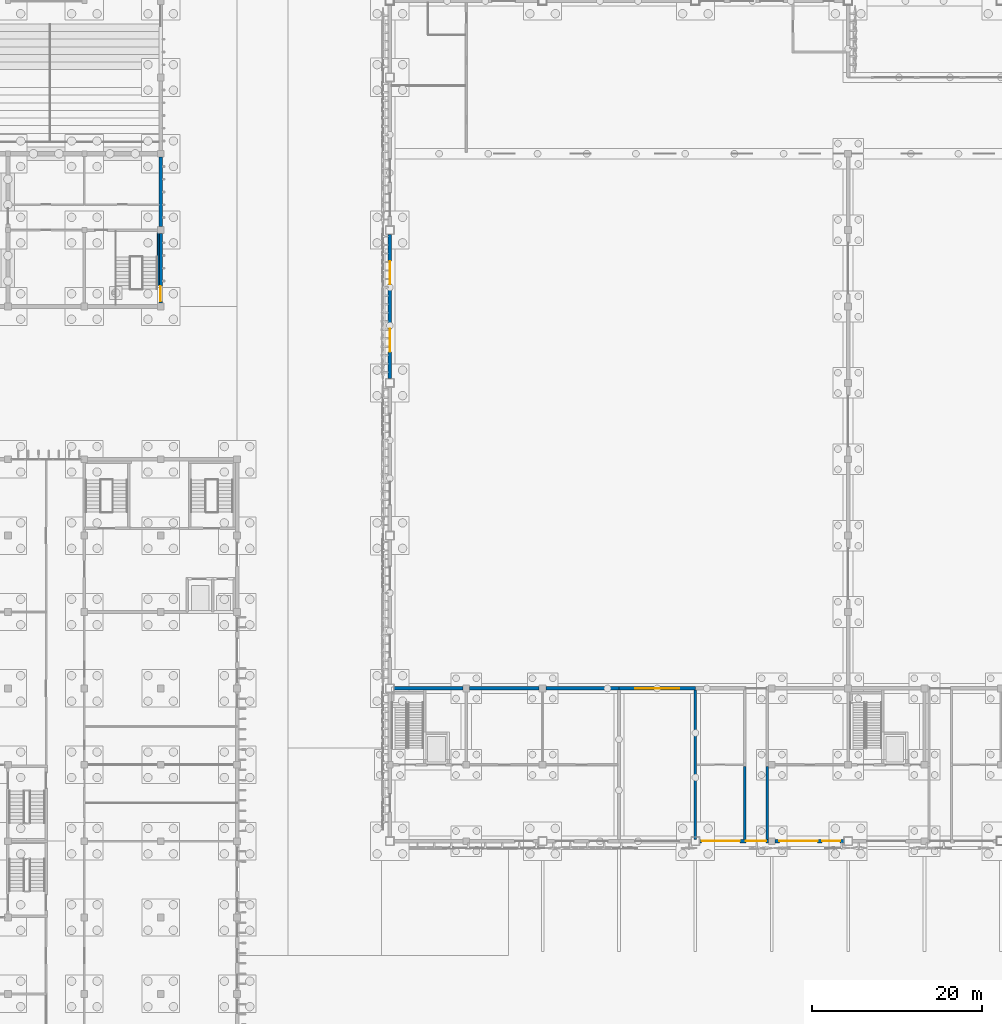
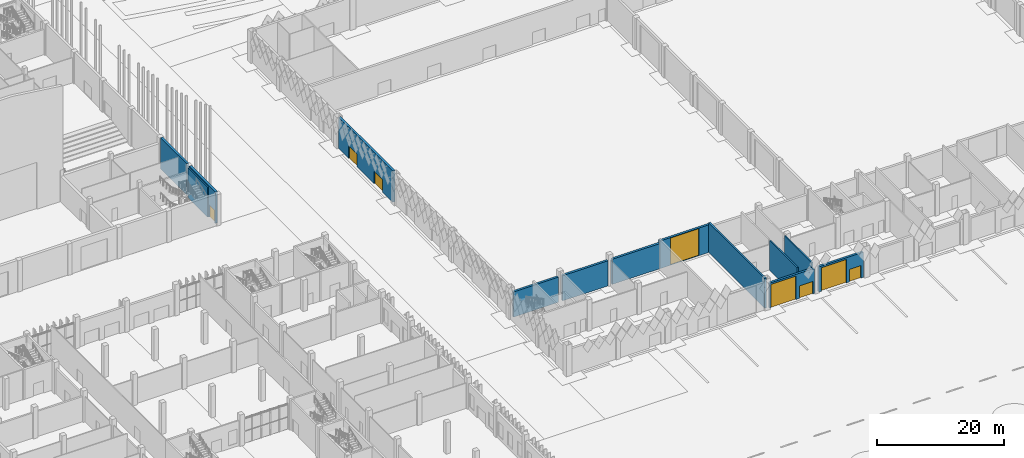
# One storey, part 85 of 198: 13 walls, 8 doors, 8 openings.
"""IFC4 building model written with IfcOpenShell, lengths in metres."""

from ifc_helpers import new_model, si_unit, direction, frame, frame_2d, origin, place, context, subcontext, project, spatial, rectangle, extrude, material, layer, layer_set, type_object, element, fill, save


model = new_model("IFC4")

# Units and contexts
model_context = context("Model", 3, precision=1e-05, world=origin(), true_north=direction((0.0, 1.0)))
body_context = subcontext(model_context, "Body", "Model", "MODEL_VIEW")
ifc_project = project(units=[si_unit("LENGTHUNIT", "METRE"), si_unit("AREAUNIT", "SQUARE_METRE"), si_unit("VOLUMEUNIT", "CUBIC_METRE"), si_unit("PLANEANGLEUNIT", "RADIAN"), si_unit("MASSUNIT", "GRAM", prefix="KILO")], contexts=[model_context])

# Site, building, storey
site_placement = place(None, origin())
site = spatial("IfcSite", under=ifc_project, at=site_placement, CompositionType="ELEMENT")
building_placement = place(site_placement, origin())
building = spatial("IfcBuilding", under=site, at=building_placement, Name="Opaline Strait Convention Centre", CompositionType="ELEMENT")
storey_placement = place(building_placement, origin())
storey = spatial("IfcBuildingStorey", under=building, at=storey_placement, Name="L00", CompositionType="ELEMENT", Elevation=0.0)

# Wall, openings, doors
ifc_material_1 = material(Name="Concrete C40", Category="concrete")
ifc_layer_1 = layer(ifc_material_1, 0.25)
ifc_material_2 = material(Name="Mineral wool insulation")
ifc_layer_2 = layer(ifc_material_2, 0.10009765625)
ifc_material_3 = material(Name="Gypsum board lining")
ifc_layer_3 = layer(ifc_material_3, 0.050048828125)
ifc_layer_set_1 = layer_set([ifc_layer_1, ifc_layer_2, ifc_layer_3], Name="Concrete C40, Mineral wool insulation, Gypsum board lining")
wall_type_1 = type_object("IfcWallType", Name="External wall RC 400 insulated", PredefinedType="SOLIDWALL", material=ifc_layer_set_1)
wall_1_placement = place(storey_placement, frame((135.5, 54.0, 0.0), z_axis=(0.0, 0.0, 1.0), x_axis=(1.0, 0.0, 0.0)))
wall_1 = element("IfcWall", 1, at=wall_1_placement, inside=storey, type_object=wall_type_1, Name="External wall S5", PredefinedType="SOLIDWALL", context=body_context, shape_type="SweptSolid", body=[
    extrude(rectangle(XDim=8.10009765625, YDim=0.39990234375, at=frame_2d((4.050048828125, 0.0))), origin(), (0.0, 0.0, 1.0), 4.820068359375),
])
opening_1_placement = place(wall_1_placement, frame((0.25, 0.0, 0.0)))
opening_1 = element("IfcOpeningElement", 2, at=opening_1_placement, cuts=wall_1, Name="Opening X0-014", PredefinedType="OPENING", context=body_context, shape_type="SweptSolid", body=[
    extrude(rectangle(XDim=4.5, YDim=4.5, at=frame_2d((2.25, 2.25))), frame((0.0, 0.2099609375, 0.0), z_axis=(0.0, -1.0, 0.0), x_axis=(1.0, 0.0, 0.0)), (0.0, 0.0, 1.0), 0.419921875),
])
opening_2_placement = place(wall_1_placement, frame((5.449951171875, 0.0, 0.0)))
opening_2 = element("IfcOpeningElement", 3, at=opening_2_placement, cuts=wall_1, Name="Opening X0-029", PredefinedType="OPENING", context=body_context, shape_type="SweptSolid", body=[
    extrude(rectangle(XDim=2.39990234375, YDim=2.39990234375, at=frame_2d((1.199951171875, 1.199951171875))), frame((0.0, 0.2099609375, 0.0), z_axis=(0.0, -1.0, 0.0), x_axis=(1.0, 0.0, 0.0)), (0.0, 0.0, 1.0), 0.419921875),
])
ifc_material_4 = material(Name="Galvanised steel Q235B", Category="steel")
door_type_1 = type_object("IfcDoorType", Name="Dock leveller door 4500 x 4500", OperationType="ROLLINGUP", PredefinedType="DOOR", material=ifc_material_4)
door_1_placement = place(opening_1_placement, origin())
door_1 = element("IfcDoor", 4, at=door_1_placement, inside=storey, type_object=door_type_1, Name="Dock leveller door 5", ObjectType="XD5", OperationType="ROLLINGUP", OverallHeight=4.5, OverallWidth=4.5, PredefinedType="DOOR", context=body_context, shape_type="SweptSolid", body=[
    extrude(rectangle(XDim=4.5, YDim=4.5, at=frame_2d((2.25, 2.25))), frame((0.0, 0.02490234375, 0.0), z_axis=(0.0, -1.0, 0.0), x_axis=(1.0, 0.0, 0.0)), (0.0, 0.0, 1.0), 0.050048828125),
])
fill(opening_1, door_1)
ifc_material_5 = material(Name="Steel Q235B", Category="steel")
door_type_2 = type_object("IfcDoorType", Name="Passage exit door pair 2400 x 2400", OperationType="DOUBLE_DOOR_SINGLE_SWING", PredefinedType="DOOR", material=ifc_material_5)
door_2_placement = place(opening_2_placement, frame((2.39990234375, 0.0, 0.0), z_axis=(0.0, 0.0, 1.0), x_axis=(-1.0, 0.0, 0.0)))
door_2 = element("IfcDoor", 5, at=door_2_placement, inside=storey, type_object=door_type_2, Name="Passage exit door 1", ObjectType="XD15", OperationType="DOUBLE_DOOR_SINGLE_SWING", OverallHeight=2.39990234375, OverallWidth=2.39990234375, PredefinedType="DOOR", context=body_context, shape_type="SweptSolid", body=[
    extrude(rectangle(XDim=2.39990234375, YDim=2.39990234375, at=frame_2d((1.199951171875, 1.199951171875))), frame((0.0, 0.02490234375, 0.0), z_axis=(0.0, -1.0, 0.0), x_axis=(1.0, 0.0, 0.0)), (0.0, 0.0, 1.0), 0.050048828125),
])
fill(opening_2, door_2)

wall_2_placement = place(storey_placement, frame((144.39990234375, 54.0, 0.0), z_axis=(0.0, 0.0, 1.0), x_axis=(1.0, 0.0, 0.0)))
wall_2 = element("IfcWall", 6, at=wall_2_placement, inside=storey, type_object=wall_type_1, Name="External wall S6", PredefinedType="SOLIDWALL", context=body_context, shape_type="SweptSolid", body=[
    extrude(rectangle(XDim=8.10009765625, YDim=0.39990234375, at=frame_2d((4.050048828125, 0.0))), origin(), (0.0, 0.0, 1.0), 4.820068359375),
])
opening_3_placement = place(wall_2_placement, frame((0.5, 0.0, 0.0)))
opening_3 = element("IfcOpeningElement", 7, at=opening_3_placement, cuts=wall_2, Name="Opening X0-015", PredefinedType="OPENING", context=body_context, shape_type="SweptSolid", body=[
    extrude(rectangle(XDim=4.5, YDim=4.5, at=frame_2d((2.25, 2.25))), frame((0.0, 0.2099609375, 0.0), z_axis=(0.0, -1.0, 0.0), x_axis=(1.0, 0.0, 0.0)), (0.0, 0.0, 1.0), 0.419921875),
])
opening_4_placement = place(wall_2_placement, frame((5.550048828125, 0.0, 0.0)))
opening_4 = element("IfcOpeningElement", 8, at=opening_4_placement, cuts=wall_2, Name="Opening X0-016", PredefinedType="OPENING", context=body_context, shape_type="SweptSolid", body=[
    extrude(rectangle(XDim=2.10009765625, YDim=2.39990234375, at=frame_2d((1.050048828125, 1.199951171875))), frame((0.0, 0.2099609375, 0.0), z_axis=(0.0, -1.0, 0.0), x_axis=(1.0, 0.0, 0.0)), (0.0, 0.0, 1.0), 0.419921875),
])
door_3_placement = place(opening_3_placement, origin())
door_3 = element("IfcDoor", 9, at=door_3_placement, inside=storey, type_object=door_type_1, Name="Dock leveller door 6", ObjectType="XD5", OperationType="ROLLINGUP", OverallHeight=4.5, OverallWidth=4.5, PredefinedType="DOOR", context=body_context, shape_type="SweptSolid", body=[
    extrude(rectangle(XDim=4.5, YDim=4.5, at=frame_2d((2.25, 2.25))), frame((0.0, 0.02490234375, 0.0), z_axis=(0.0, -1.0, 0.0), x_axis=(1.0, 0.0, 0.0)), (0.0, 0.0, 1.0), 0.050048828125),
])
fill(opening_3, door_3)
door_type_3 = type_object("IfcDoorType", Name="Dock pedestrian door pair 2100 x 2400", OperationType="DOUBLE_DOOR_SINGLE_SWING", PredefinedType="DOOR", material=ifc_material_5)
door_4_placement = place(opening_4_placement, frame((2.10009765625, 0.0, 0.0), z_axis=(0.0, 0.0, 1.0), x_axis=(-1.0, 0.0, 0.0)))
door_4 = element("IfcDoor", 10, at=door_4_placement, inside=storey, type_object=door_type_3, Name="Dock pedestrian door 7", ObjectType="XD6", OperationType="DOUBLE_DOOR_SINGLE_SWING", OverallHeight=2.39990234375, OverallWidth=2.10009765625, PredefinedType="DOOR", context=body_context, shape_type="SweptSolid", body=[
    extrude(rectangle(XDim=2.10009765625, YDim=2.39990234375, at=frame_2d((1.050048828125, 1.199951171875))), frame((0.0, 0.02490234375, 0.0), z_axis=(0.0, -1.0, 0.0), x_axis=(1.0, 0.0, 0.0)), (0.0, 0.0, 1.0), 0.050048828125),
])
fill(opening_4, door_4)

wall_3_placement = place(storey_placement, frame((99.0, 108.5, 0.0), z_axis=(0.0, 0.0, 1.0), x_axis=(0.0, 1.0, 0.0)))
wall_3 = element("IfcWall", 11, at=wall_3_placement, inside=storey, type_object=wall_type_1, Name="External wall W5", PredefinedType="SOLIDWALL", context=body_context, shape_type="SweptSolid", body=[
    extrude(rectangle(XDim=17.0, YDim=0.39990234375, at=frame_2d((8.5, 0.0))), origin(), (0.0, 0.0, 1.0), 6.0),
])
opening_5_placement = place(wall_3_placement, frame((3.14990234375, 0.0, 0.0)))
opening_5 = element("IfcOpeningElement", 12, at=opening_5_placement, cuts=wall_3, Name="Opening X0-038", PredefinedType="OPENING", context=body_context, shape_type="SweptSolid", body=[
    extrude(rectangle(XDim=2.699951171875, YDim=2.39990234375, at=frame_2d((1.35009765625, 1.199951171875))), frame((0.0, 0.2099609375, 0.0), z_axis=(0.0, -1.0, 0.0), x_axis=(1.0, 0.0, 0.0)), (0.0, 0.0, 1.0), 0.419921875),
])
opening_6_placement = place(wall_3_placement, frame((11.14990234375, 0.0, 0.0)))
opening_6 = element("IfcOpeningElement", 13, at=opening_6_placement, cuts=wall_3, Name="Opening X0-039", PredefinedType="OPENING", context=body_context, shape_type="SweptSolid", body=[
    extrude(rectangle(XDim=2.699951171875, YDim=2.39990234375, at=frame_2d((1.35009765625, 1.199951171875))), frame((0.0, 0.2099609375, 0.0), z_axis=(0.0, -1.0, 0.0), x_axis=(1.0, 0.0, 0.0)), (0.0, 0.0, 1.0), 0.419921875),
])
door_type_4 = type_object("IfcDoorType", Name="Exit door pair 2700 x 2400", OperationType="DOUBLE_DOOR_SINGLE_SWING", PredefinedType="DOOR", material=ifc_material_5)
door_5_placement = place(opening_5_placement, origin())
door_5 = element("IfcDoor", 14, at=door_5_placement, inside=storey, type_object=door_type_4, Name="Hall exit door W5", ObjectType="XD2", OperationType="DOUBLE_DOOR_SINGLE_SWING", OverallHeight=2.39990234375, OverallWidth=2.699951171875, PredefinedType="DOOR", context=body_context, shape_type="SweptSolid", body=[
    extrude(rectangle(XDim=2.699951171875, YDim=2.39990234375, at=frame_2d((1.35009765625, 1.199951171875))), frame((0.0, 0.02490234375, 0.0), z_axis=(0.0, -1.0, 0.0), x_axis=(1.0, 0.0, 0.0)), (0.0, 0.0, 1.0), 0.050048828125),
])
fill(opening_5, door_5)
door_6_placement = place(opening_6_placement, origin())
door_6 = element("IfcDoor", 15, at=door_6_placement, inside=storey, type_object=door_type_4, Name="Hall exit door W6", ObjectType="XD2", OperationType="DOUBLE_DOOR_SINGLE_SWING", OverallHeight=2.39990234375, OverallWidth=2.699951171875, PredefinedType="DOOR", context=body_context, shape_type="SweptSolid", body=[
    extrude(rectangle(XDim=2.699951171875, YDim=2.39990234375, at=frame_2d((1.35009765625, 1.199951171875))), frame((0.0, 0.02490234375, 0.0), z_axis=(0.0, -1.0, 0.0), x_axis=(1.0, 0.0, 0.0)), (0.0, 0.0, 1.0), 0.050048828125),
])
fill(opening_6, door_6)

# Walls
ifc_layer_4 = layer(ifc_material_1, 0.300048828125)
ifc_material_6 = material(Name="Cement plaster")
ifc_layer_5 = layer(ifc_material_6, 0.050048828125)
ifc_layer_6 = layer(ifc_material_6, 0.050048828125)
ifc_layer_set_2 = layer_set([ifc_layer_4, ifc_layer_5, ifc_layer_6], Name="Concrete C40, Cement plaster, Cement plaster")
wall_type_2 = type_object("IfcWallType", Name="Hall compartment wall 400", PredefinedType="SOLIDWALL", material=ifc_layer_set_2)
wall_4_placement = place(storey_placement, frame((99.5, 72.0, 0.0), z_axis=(0.0, 0.0, 1.0), x_axis=(1.0, 0.0, 0.0)))
element("IfcWall", 16, at=wall_4_placement, inside=storey, type_object=wall_type_2, Name="Hall south wall", PredefinedType="SOLIDWALL", context=body_context, shape_type="SweptSolid", body=[
    extrude(rectangle(XDim=8.10009765625, YDim=0.39990234375, at=frame_2d((4.050048828125, 0.0))), origin(), (0.0, 0.0, 1.0), 4.820068359375),
])
wall_5_placement = place(storey_placement, frame((108.39990234375, 72.0, 0.0), z_axis=(0.0, 0.0, 1.0), x_axis=(1.0, 0.0, 0.0)))
element("IfcWall", 17, at=wall_5_placement, inside=storey, type_object=wall_type_2, Name="Hall south wall", PredefinedType="SOLIDWALL", context=body_context, shape_type="SweptSolid", body=[
    extrude(rectangle(XDim=8.2001953125, YDim=0.39990234375, at=frame_2d((4.10009765625, 0.0))), origin(), (0.0, 0.0, 1.0), 4.820068359375),
])
wall_6_placement = place(storey_placement, frame((117.39990234375, 72.0, 0.0), z_axis=(0.0, 0.0, 1.0), x_axis=(1.0, 0.0, 0.0)))
element("IfcWall", 18, at=wall_6_placement, inside=storey, type_object=wall_type_2, Name="Hall south wall", PredefinedType="SOLIDWALL", context=body_context, shape_type="SweptSolid", body=[
    extrude(rectangle(XDim=8.60009765625, YDim=0.39990234375, at=frame_2d((4.300048828125, 0.0))), origin(), (0.0, 0.0, 1.0), 4.820068359375),
])

# Wall, opening, door
wall_7_placement = place(storey_placement, frame((126.0, 72.0, 0.0), z_axis=(0.0, 0.0, 1.0), x_axis=(1.0, 0.0, 0.0)))
wall_7 = element("IfcWall", 19, at=wall_7_placement, inside=storey, type_object=wall_type_2, Name="Hall south wall", PredefinedType="SOLIDWALL", context=body_context, shape_type="SweptSolid", body=[
    extrude(rectangle(XDim=9.0, YDim=0.39990234375, at=frame_2d((4.5, 0.0))), origin(), (0.0, 0.0, 1.0), 5.300048828125),
])
opening_7_placement = place(wall_7_placement, frame((1.89990234375, 0.0, 0.0)))
opening_7 = element("IfcOpeningElement", 20, at=opening_7_placement, cuts=wall_7, Name="Opening X0-087", PredefinedType="OPENING", context=body_context, shape_type="SweptSolid", body=[
    extrude(rectangle(XDim=5.199951171875, YDim=5.199951171875, at=frame_2d((2.60009765625, 2.60009765625))), frame((0.0, 0.2099609375, 0.0), z_axis=(0.0, -1.0, 0.0), x_axis=(1.0, 0.0, 0.0)), (0.0, 0.0, 1.0), 0.419921875),
])
door_type_5 = type_object("IfcDoorType", Name="Freight door FD90 5200 x 5200", OperationType="ROLLINGUP", PredefinedType="DOOR", material=ifc_material_4)
door_7_placement = place(opening_7_placement, origin())
door_7 = element("IfcDoor", 21, at=door_7_placement, inside=storey, type_object=door_type_5, Name="Freight door tunnel 1 hall end", ObjectType="XFD1", OperationType="ROLLINGUP", OverallHeight=5.199951171875, OverallWidth=5.199951171875, PredefinedType="DOOR", context=body_context, shape_type="SweptSolid", body=[
    extrude(rectangle(XDim=5.199951171875, YDim=5.199951171875, at=frame_2d((2.60009765625, 2.60009765625))), frame((0.0, 0.02490234375, 0.0), z_axis=(0.0, -1.0, 0.0), x_axis=(1.0, 0.0, 0.0)), (0.0, 0.0, 1.0), 0.050048828125),
])
fill(opening_7, door_7)

# Walls
ifc_material_7 = material(Name="Lightweight blockwork", Category="masonry")
ifc_layer_7 = layer(ifc_material_7, 0.25)
ifc_layer_set_3 = layer_set([ifc_layer_7], Name="Lightweight blockwork")
wall_type_3 = type_object("IfcWallType", Name="Partition EI 120 blockwork 250", PredefinedType="PARTITIONING", material=ifc_layer_set_3)
for number, where, z_axis, x_axis, name in (
    (22, (140.824951171875, 54.199951171875, 0.0), (0.0, 0.0, 1.0), (0.0, 1.0, 0.0), "Exit passage 1 wall"),
    (23, (143.47509765625, 54.199951171875, 0.0), (0.0, 0.0, 1.0), (0.0, 1.0, 0.0), "Exit passage 1 wall"),
):
    element("IfcWall", number, at=place(storey_placement, frame(where, z_axis=z_axis, x_axis=x_axis)), inside=storey, type_object=wall_type_3, Name=name, PredefinedType="PARTITIONING", context=body_context, shape_type="SweptSolid", body=[
        extrude(rectangle(XDim=8.574951171875, YDim=0.25, at=frame_2d((4.28759765625, 0.0))), origin(), (0.0, 0.0, 1.0), 5.719970703125),
    ])

# Wall, opening, door
ifc_layer_8 = layer(ifc_material_1, 0.320068359375)
ifc_layer_9 = layer(ifc_material_2, 0.050048828125)
ifc_layer_10 = layer(ifc_material_3, 0.030029296875)
ifc_layer_set_4 = layer_set([ifc_layer_8, ifc_layer_9, ifc_layer_10], Name="Concrete C40, Mineral wool insulation, Gypsum board lining")
wall_type_4 = type_object("IfcWallType", Name="RC external wall 400 C40", PredefinedType="SOLIDWALL", material=ifc_layer_set_4)
wall_8_placement = place(storey_placement, frame((72.0, 117.39990234375, 0.0), z_axis=(0.0, 0.0, 1.0), x_axis=(0.0, 1.0, 0.0)))
wall_8 = element("IfcWall", 24, at=wall_8_placement, inside=storey, type_object=wall_type_4, Name="PW1 east wall L00 9/P-9/Q", PredefinedType="SOLIDWALL", context=body_context, shape_type="SweptSolid", body=[
    extrude(rectangle(XDim=8.2001953125, YDim=0.39990234375, at=frame_2d((4.10009765625, 0.0))), origin(), (0.0, 0.0, 1.0), 6.0),
])
opening_8_placement = place(wall_8_placement, frame((0.199951171875, 0.0, 0.0)))
opening_8 = element("IfcOpeningElement", 25, at=opening_8_placement, cuts=wall_8, Name="Opening P0-010", PredefinedType="OPENING", context=body_context, shape_type="SweptSolid", body=[
    extrude(rectangle(XDim=1.800048828125, YDim=2.39990234375, at=frame_2d((0.89990234375, 1.199951171875))), frame((0.0, 0.2099609375, 0.0), z_axis=(0.0, -1.0, 0.0), x_axis=(1.0, 0.0, 0.0)), (0.0, 0.0, 1.0), 0.419921875),
])
door_type_6 = type_object("IfcDoorType", Name="Exit double door 1800 x 2400", OperationType="DOUBLE_DOOR_SINGLE_SWING", PredefinedType="DOOR", material=ifc_material_5)
door_8_placement = place(opening_8_placement, frame((1.800048828125, 0.0, 0.0), z_axis=(0.0, 0.0, 1.0), x_axis=(-1.0, 0.0, 0.0)))
door_8 = element("IfcDoor", 26, at=door_8_placement, inside=storey, type_object=door_type_6, Name="Stage wing stair exit east", ObjectType="PD3", OperationType="DOUBLE_DOOR_SINGLE_SWING", OverallHeight=2.39990234375, OverallWidth=1.800048828125, PredefinedType="DOOR", context=body_context, shape_type="SweptSolid", body=[
    extrude(rectangle(XDim=1.800048828125, YDim=2.39990234375, at=frame_2d((0.89990234375, 1.199951171875))), frame((0.0, 0.02490234375, 0.0), z_axis=(0.0, -1.0, 0.0), x_axis=(1.0, 0.0, 0.0)), (0.0, 0.0, 1.0), 0.050048828125),
])
fill(opening_8, door_8)

# Walls
wall_9_placement = place(storey_placement, frame((72.0, 126.39990234375, 0.0), z_axis=(0.0, 0.0, 1.0), x_axis=(0.0, 1.0, 0.0)))
element("IfcWall", 27, at=wall_9_placement, inside=storey, type_object=wall_type_4, Name="PW1 east wall L00 9/Q-9/R", PredefinedType="SOLIDWALL", context=body_context, shape_type="SweptSolid", body=[
    extrude(rectangle(XDim=8.2001953125, YDim=0.39990234375, at=frame_2d((4.10009765625, 0.0))), origin(), (0.0, 0.0, 1.0), 6.0),
])
ifc_layer_11 = layer(ifc_material_1, 0.199951171875)
ifc_layer_set_5 = layer_set([ifc_layer_11], Name="Concrete C40")
wall_type_5 = type_object("IfcWallType", Name="RC stair lining wall 200 C40", PredefinedType="SOLIDWALL", material=ifc_layer_set_5)
wall_10_placement = place(storey_placement, frame((71.699951171875, 119.5, 0.0), z_axis=(0.0, 0.0, 1.0), x_axis=(0.0, 1.0, 0.0)))
element("IfcWall", 28, at=wall_10_placement, inside=storey, type_object=wall_type_5, Name="PW14 L00 SE stair lining wall 1", PredefinedType="SOLIDWALL", context=body_context, shape_type="SweptSolid", body=[
    extrude(rectangle(XDim=6.199951171875, YDim=0.199951171875, at=frame_2d((3.10009765625, 0.0))), origin(), (0.0, 0.0, 1.0), 5.719970703125),
])
ifc_layer_12 = layer(ifc_material_1, 0.300048828125)
ifc_layer_set_6 = layer_set([ifc_layer_12], Name="Concrete C40")
wall_type_6 = type_object("IfcWallType", Name="RC tunnel wall 300 C40", PredefinedType="SOLIDWALL", material=ifc_layer_set_6)
wall_11_placement = place(storey_placement, frame((135.0, 54.199951171875, 0.0), z_axis=(0.0, 0.0, 1.0), x_axis=(0.0, 1.0, 0.0)))
element("IfcWall", 29, at=wall_11_placement, inside=storey, type_object=wall_type_6, Name="Truck tunnel 1 wall at 135", PredefinedType="SOLIDWALL", context=body_context, shape_type="SweptSolid", body=[
    extrude(rectangle(XDim=17.60009765625, YDim=0.300048828125, at=frame_2d((8.800048828125, 0.0))), origin(), (0.0, 0.0, 1.0), 5.719970703125),
])

save(model, "model.ifc")
